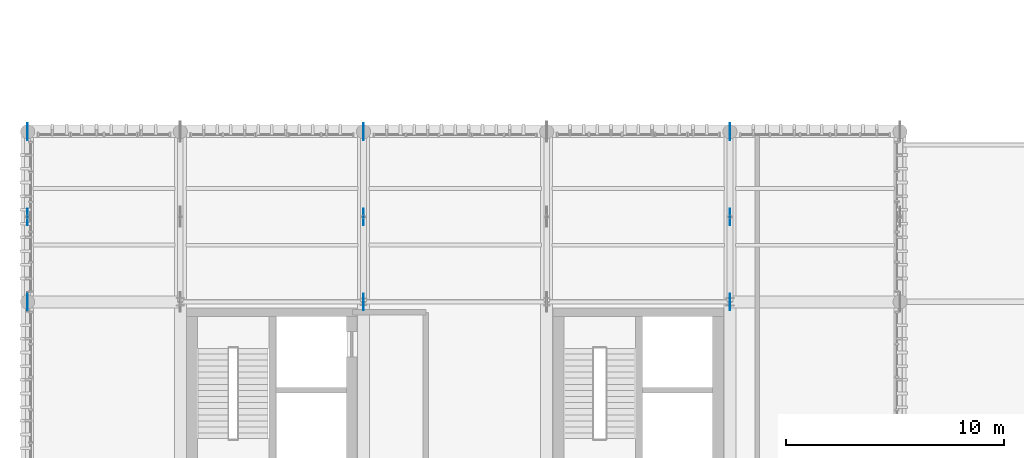
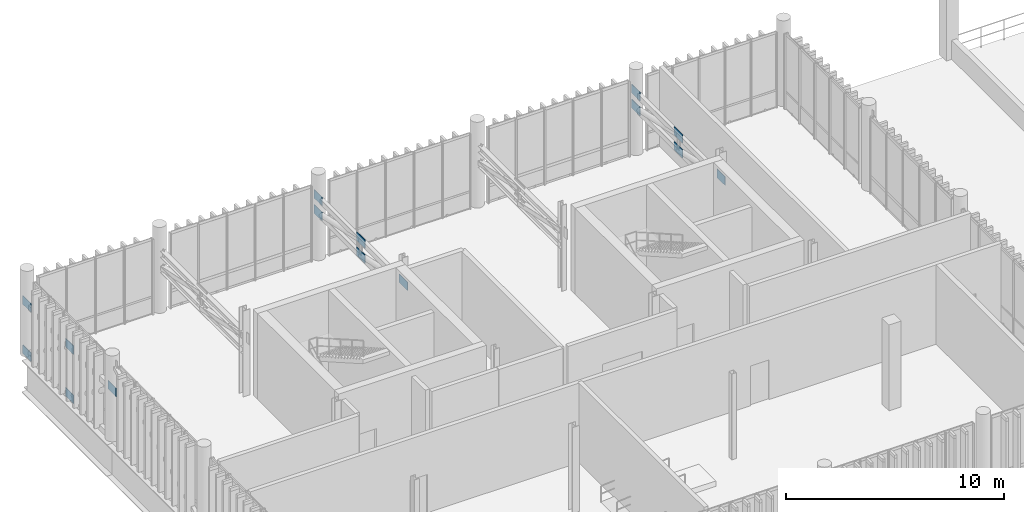
# One storey, part 68 of 81: 15 plates.
"""IFC4 building model written with IfcOpenShell, lengths in metres."""

from ifc_helpers import new_model, si_unit, direction, frame, origin_with_axes, origin_2d_with_axis, place, context, subcontext, project, spatial, rectangle, extrude, material, layer, layer_set, type_object, element, save


model = new_model("IFC4")

# Units and contexts
model_context = context("Model", 3, precision=1e-05, world=origin_with_axes(), true_north=direction((0.0, 1.0)))
body_context = subcontext(model_context, "Body", "Model", "MODEL_VIEW")
ifc_project = project(units=[si_unit("LENGTHUNIT", "METRE"), si_unit("AREAUNIT", "SQUARE_METRE"), si_unit("VOLUMEUNIT", "CUBIC_METRE"), si_unit("PLANEANGLEUNIT", "RADIAN"), si_unit("MASSUNIT", "GRAM", prefix="KILO"), si_unit("THERMODYNAMICTEMPERATUREUNIT", "KELVIN")], contexts=[model_context])

# Site, building, storey
site_placement = place(None, origin_with_axes())
site = spatial("IfcSite", under=ifc_project, at=site_placement, CompositionType="ELEMENT")
building_placement = place(site_placement, origin_with_axes())
building = spatial("IfcBuilding", under=site, at=building_placement, Name="Montbau Bow Law Courts", CompositionType="ELEMENT")
storey_placement = place(building_placement, frame((0.0, 0.0, 24.9), z_axis=(0.0, 0.0, 1.0), x_axis=(1.0, 0.0, 0.0)))
storey = spatial("IfcBuildingStorey", under=building, at=storey_placement, Name="L05", CompositionType="ELEMENT", Elevation=24.9)

# Plates
ifc_material = material(Name="Steel CSA G40.21 Grade 350W (350 MPa)", Category="steel")
ifc_layer = layer(ifc_material, 0.025, Name="Gusset Plate", Category="steel")
ifc_layer_set = layer_set([ifc_layer], Name="Steel CSA G40.21 Grade 350W (350 MPa)")
plate_type = type_object("IfcPlateType", Name="PL-GUS-02", PredefinedType="USERDEFINED", material=ifc_layer_set)
for number, where, z_axis, x_axis, name in (
    (1, (6.8, 54.6, 27.41), (0.0, 0.0, 1.0), (0.0, 1.0, 0.0), "BGP-L05-001:plt_0032"),
    (2, (6.8, 58.5, 24.66), (0.0, 0.0, 1.0), (0.0, 1.0, 0.0), "BGP-L05-002:plt_0033"),
    (3, (6.8, 58.5, 27.41), (0.0, 0.0, 1.0), (0.0, 1.0, 0.0), "BGP-L05-003:plt_0034"),
    (4, (6.8, 62.4, 24.66), (0.0, 0.0, 1.0), (0.0, 1.0, 0.0), "BGP-L05-004:plt_0035"),
    (5, (6.8, 62.4, 27.41), (0.0, 0.0, 1.0), (0.0, 1.0, 0.0), "BGP-L05-005:plt_0036"),
    (6, (22.2, 54.6, 27.96), (0.0, 0.0, 1.0), (0.0, 1.0, 0.0), "BGP-L05-011:plt_0042"),
    (7, (22.2, 58.5, 27.12), (0.0, 0.0, 1.0), (0.0, 1.0, 0.0), "BGP-L05-012:plt_0043"),
    (8, (22.2, 58.5, 27.96), (0.0, 0.0, 1.0), (0.0, 1.0, 0.0), "BGP-L05-013:plt_0044"),
    (9, (22.2, 62.4, 27.12), (0.0, 0.0, 1.0), (0.0, 1.0, 0.0), "BGP-L05-014:plt_0045"),
    (10, (22.2, 62.4, 27.96), (0.0, 0.0, 1.0), (0.0, 1.0, 0.0), "BGP-L05-015:plt_0046"),
    (11, (39.0, 54.6, 27.96), (0.0, 0.0, 1.0), (0.0, 1.0, 0.0), "BGP-L05-021:plt_0052"),
    (12, (39.0, 58.5, 27.12), (0.0, 0.0, 1.0), (0.0, 1.0, 0.0), "BGP-L05-022:plt_0053"),
    (13, (39.0, 58.5, 27.96), (0.0, 0.0, 1.0), (0.0, 1.0, 0.0), "BGP-L05-023:plt_0054"),
    (14, (39.0, 62.4, 27.12), (0.0, 0.0, 1.0), (0.0, 1.0, 0.0), "BGP-L05-024:plt_0055"),
    (15, (39.0, 62.4, 27.96), (0.0, 0.0, 1.0), (0.0, 1.0, 0.0), "BGP-L05-025:plt_0056"),
):
    element("IfcPlate", number, at=place(None, frame(where, z_axis=z_axis, x_axis=x_axis)), inside=storey, type_object=plate_type, Name=name, ObjectType="GUSSET_PLATE", PredefinedType="USERDEFINED", context=body_context, shape_type="SweptSolid", body=[
        extrude(rectangle(XDim=0.76, YDim=0.025, at=origin_2d_with_axis()), origin_with_axes(), (0.0, 0.0, 1.0), 0.48),
    ])

save(model, "model.ifc")
